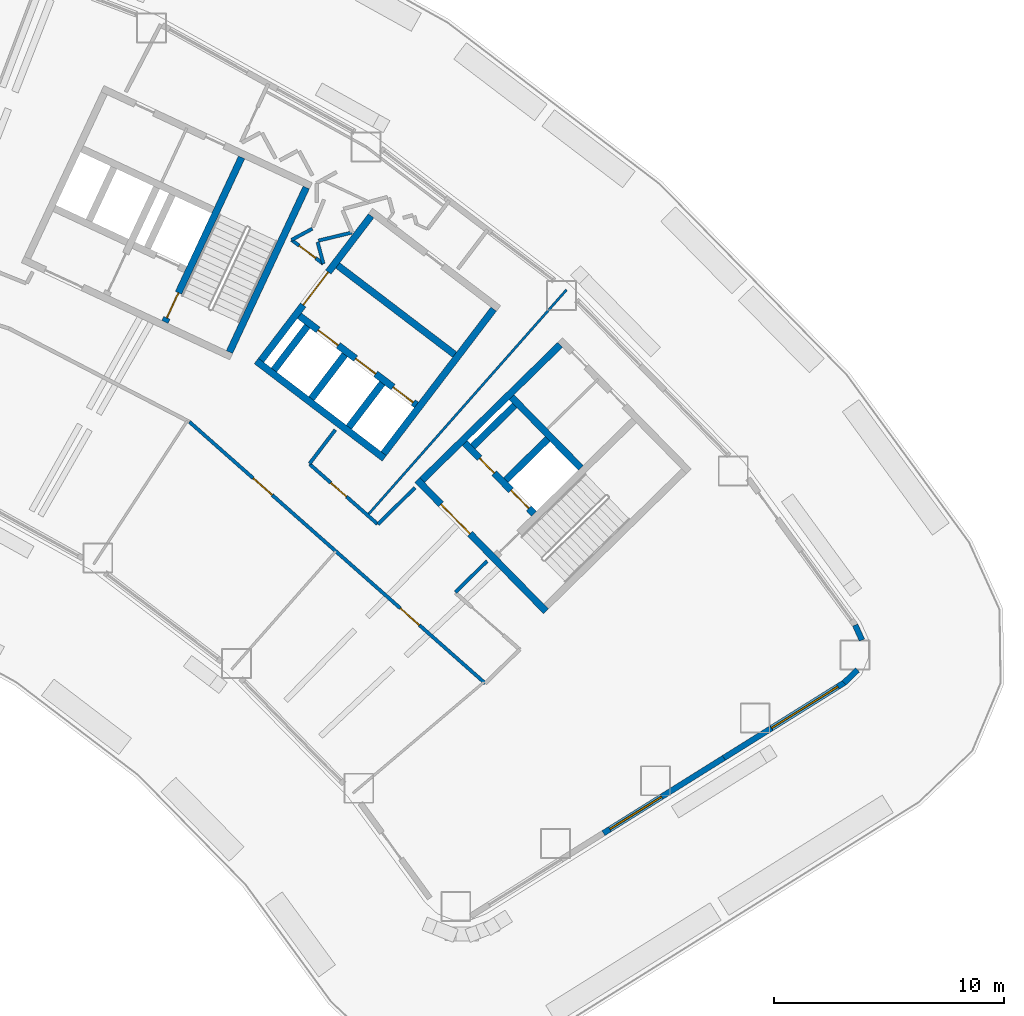
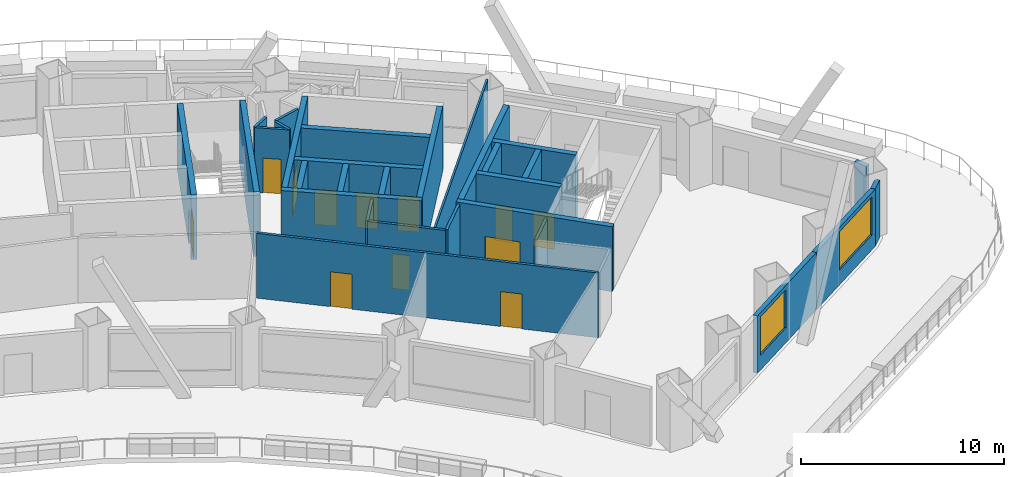
# One storey, part 6 of 12: 30 walls, 12 doors, 2 windows, 14 openings.
"""IFC4 building model written with IfcOpenShell, lengths in metres."""

from ifc_helpers import new_model, si_unit, direction, frame, frame_2d, origin, place, context, subcontext, project, spatial, rectangle, extrude, material, layer, layer_set, type_object, element, fill, save


model = new_model("IFC4")

# Units and contexts
model_context = context("Model", 3, precision=1e-05, world=origin(), true_north=direction((0.0, 1.0)))
body_context = subcontext(model_context, "Body", "Model", "MODEL_VIEW")
ifc_project = project(units=[si_unit("LENGTHUNIT", "METRE"), si_unit("AREAUNIT", "SQUARE_METRE"), si_unit("VOLUMEUNIT", "CUBIC_METRE"), si_unit("PLANEANGLEUNIT", "RADIAN"), si_unit("MASSUNIT", "GRAM", prefix="KILO")], contexts=[model_context])

# Site, building, storey
site_placement = place(None, origin())
site = spatial("IfcSite", under=ifc_project, at=site_placement, CompositionType="ELEMENT")
building_placement = place(site_placement, origin())
building = spatial("IfcBuilding", under=site, at=building_placement, Name="Tuul Gate Civic Tower", CompositionType="ELEMENT")
storey_placement = place(building_placement, frame((0.0, 0.0, 31.5)))
storey = spatial("IfcBuildingStorey", under=building, at=storey_placement, Name="Level 06", CompositionType="ELEMENT", Elevation=31.5)

# Wall, opening, door
ifc_material_1 = material(Name="Concrete C50/60", Category="concrete")
ifc_layer_1 = layer(ifc_material_1, 0.300048828125)
ifc_layer_set_1 = layer_set([ifc_layer_1], Name="Concrete C50/60")
wall_type_1 = type_object("IfcWallType", Name="Core wall C50/60", PredefinedType="SHEAR", material=ifc_layer_set_1)
wall_1_placement = place(storey_placement, frame((48.22509765625, -18.327880859375, 0.0), z_axis=(0.0, 0.0, 1.0), x_axis=(-0.700021979774, 0.714121297703, 0.0)))
wall_1 = element("IfcWall", 1, at=wall_1_placement, inside=storey, type_object=wall_type_1, Name="Core wall", PredefinedType="SHEAR", context=body_context, shape_type="SweptSolid", body=[
    extrude(rectangle(XDim=8.0, YDim=0.300048828125, at=frame_2d((4.0, 0.0))), origin(), (0.0, 0.0, 1.0), 3.89990234375),
])
opening_1_placement = place(wall_1_placement, frame((4.72509765625, 0.0, 0.0)))
opening_1 = element("IfcOpeningElement", 2, at=opening_1_placement, cuts=wall_1, Name="Opening LB-E1-LOBBY-1", PredefinedType="OPENING", context=body_context, shape_type="SweptSolid", body=[
    extrude(rectangle(XDim=1.800048828125, YDim=2.10009765625, at=frame_2d((0.89990234375, 1.050048828125))), frame((0.0, 0.16015625, 0.0), z_axis=(0.0, -1.0, 0.0), x_axis=(1.0, 0.0, 0.0)), (0.0, 0.0, 1.0), 0.320068359375),
])
ifc_material_2 = material(Name="Steel", Category="steel")
door_type_1 = type_object("IfcDoorType", Name="Lobby door", OperationType="DOUBLE_DOOR_SINGLE_SWING", PredefinedType="DOOR", material=ifc_material_2)
door_1_placement = place(opening_1_placement, frame((1.800048828125, 0.0, 0.0), z_axis=(0.0, 0.0, 1.0), x_axis=(-1.0, 0.0, 0.0)))
door_1 = element("IfcDoor", 3, at=door_1_placement, inside=storey, type_object=door_type_1, Name="Lobby door E1-LOBBY", OperationType="DOUBLE_DOOR_SINGLE_SWING", OverallHeight=2.10009765625, OverallWidth=1.800048828125, PredefinedType="DOOR", context=body_context, shape_type="SweptSolid", body=[
    extrude(rectangle(XDim=1.800048828125, YDim=2.10009765625, at=frame_2d((0.900146484375, 1.050048828125))), frame((0.0, 0.02490234375, 0.0), z_axis=(0.0, -1.0, 0.0), x_axis=(1.0, 0.0, 0.0)), (0.0, 0.0, 1.0), 0.050048828125),
])
fill(opening_1, door_1)

# Wall, openings, doors
wall_2_placement = place(storey_placement, frame((47.701904296875, -14.079833984375, 0.0), z_axis=(0.0, 0.0, 1.0), x_axis=(-0.700002721075, 0.714140175657, 0.0)))
wall_2 = element("IfcWall", 4, at=wall_2_placement, inside=storey, type_object=wall_type_1, Name="Core wall", PredefinedType="SHEAR", context=body_context, shape_type="SweptSolid", body=[
    extrude(rectangle(XDim=4.300048828125, YDim=0.300048828125, at=frame_2d((2.14990234375, 0.0))), origin(), (0.0, 0.0, 1.0), 3.89990234375),
])
opening_2_placement = place(wall_2_placement, frame((0.324951171875, 0.0, 0.0)))
opening_2 = element("IfcOpeningElement", 5, at=opening_2_placement, cuts=wall_2, Name="Opening LD-L4", PredefinedType="OPENING", context=body_context, shape_type="SweptSolid", body=[
    extrude(rectangle(XDim=1.10009765625, YDim=2.10009765625, at=frame_2d((0.550048828125, 1.050048828125))), frame((0.0, 0.16015625, 0.0), z_axis=(0.0, -1.0, 0.0), x_axis=(1.0, 0.0, 0.0)), (0.0, 0.0, 1.0), 0.320068359375),
])
opening_3_placement = place(wall_2_placement, frame((2.47509765625, 0.0, 0.0)))
opening_3 = element("IfcOpeningElement", 6, at=opening_3_placement, cuts=wall_2, Name="Opening FB-E1A2", PredefinedType="OPENING", context=body_context, shape_type="SweptSolid", body=[
    extrude(rectangle(XDim=0.89990234375, YDim=2.10009765625, at=frame_2d((0.449951171875, 1.050048828125))), frame((0.0, 0.16015625, 0.0), z_axis=(0.0, -1.0, 0.0), x_axis=(1.0, 0.0, 0.0)), (0.0, 0.0, 1.0), 0.320068359375),
])
ifc_material_3 = material(Name="Stainless steel", Category="steel")
door_type_2 = type_object("IfcDoorType", Name="Landing door", OperationType="DOUBLE_DOOR_SLIDING", PredefinedType="DOOR", material=ifc_material_3)
door_2_placement = place(opening_2_placement, origin())
door_2 = element("IfcDoor", 7, at=door_2_placement, inside=storey, type_object=door_type_2, Name="Low-rise lift L4 landing door", OperationType="DOUBLE_DOOR_SLIDING", OverallHeight=2.10009765625, OverallWidth=1.10009765625, PredefinedType="DOOR", context=body_context, shape_type="SweptSolid", body=[
    extrude(rectangle(XDim=1.10009765625, YDim=2.10009765625, at=frame_2d((0.550048828125, 1.050048828125))), frame((0.0, 0.02490234375, 0.0), z_axis=(0.0, -1.0, 0.0), x_axis=(1.0, 0.0, 0.0)), (0.0, 0.0, 1.0), 0.050048828125),
])
fill(opening_2, door_2)
ifc_material_4 = material(Name="Steel", Category="steel")
door_type_3 = type_object("IfcDoorType", Name="Store door", OperationType="NOTDEFINED", PredefinedType="DOOR", material=ifc_material_4)
door_3_placement = place(opening_3_placement, frame((0.89990234375, 0.0, 0.0), z_axis=(0.0, 0.0, 1.0), x_axis=(-1.0, 0.0, 0.0)))
door_3 = element("IfcDoor", 8, at=door_3_placement, inside=storey, type_object=door_type_3, Name="Store door E1A2", OperationType="SINGLE_SWING_LEFT", OverallHeight=2.10009765625, OverallWidth=0.89990234375, PredefinedType="DOOR", context=body_context, shape_type="SweptSolid", body=[
    extrude(rectangle(XDim=0.89990234375, YDim=2.10009765625, at=frame_2d((0.449951171875, 1.050048828125))), frame((0.0, 0.02490234375, 0.0), z_axis=(0.0, -1.0, 0.0), x_axis=(1.0, 0.0, 0.0)), (0.0, 0.0, 1.0), 0.050048828125),
])
fill(opening_3, door_3)

# Walls
wall_3_placement = place(storey_placement, frame((49.737060546875, -12.0849609375, 0.0), z_axis=(0.0, 0.0, 1.0), x_axis=(-0.700002721075, 0.714140175657, 0.0)))
element("IfcWall", 9, at=wall_3_placement, inside=storey, type_object=wall_type_1, Name="Core wall", PredefinedType="SHEAR", context=body_context, shape_type="SweptSolid", body=[
    extrude(rectangle(XDim=4.300048828125, YDim=0.300048828125, at=frame_2d((2.14990234375, 0.0))), origin(), (0.0, 0.0, 1.0), 3.89990234375),
])
wall_4_placement = place(storey_placement, frame((46.47900390625, -12.617919921875, 0.0), z_axis=(0.0, 0.0, 1.0), x_axis=(0.71410944159, 0.700034074479, 0.0)))
element("IfcWall", 10, at=wall_4_placement, inside=storey, type_object=wall_type_1, Name="Core wall", PredefinedType="SHEAR", context=body_context, shape_type="SweptSolid", body=[
    extrude(rectangle(XDim=2.5498046875, YDim=0.300048828125, at=frame_2d((1.27490234375, 0.0))), origin(), (0.0, 0.0, 1.0), 3.89990234375),
])
wall_5_placement = place(storey_placement, frame((45.0439453125, -11.154052734375, 0.0), z_axis=(0.0, 0.0, 1.0), x_axis=(0.714108498262, 0.700035036773, 0.0)))
element("IfcWall", 11, at=wall_5_placement, inside=storey, type_object=wall_type_1, Name="Core wall", PredefinedType="SHEAR", context=body_context, shape_type="SweptSolid", body=[
    extrude(rectangle(XDim=2.550048828125, YDim=0.300048828125, at=frame_2d((1.27490234375, 0.0))), origin(), (0.0, 0.0, 1.0), 3.89990234375),
])
wall_6_placement = place(storey_placement, frame((42.837158203125, -12.616943359375, 0.0), z_axis=(0.0, 0.0, 1.0), x_axis=(0.714119844755, 0.700023461983, 0.0)))
element("IfcWall", 12, at=wall_6_placement, inside=storey, type_object=wall_type_1, Name="Core wall", PredefinedType="SHEAR", context=body_context, shape_type="SweptSolid", body=[
    extrude(rectangle(XDim=8.39990234375, YDim=0.300048828125, at=frame_2d((4.199951171875, 0.0))), origin(), (0.0, 0.0, 1.0), 3.89990234375),
])
wall_7_placement = place(storey_placement, frame((34.455810546875, -7.05078125, 0.0), z_axis=(0.0, 0.0, 1.0), x_axis=(0.422570768258, 0.906329932096, 0.0)))
element("IfcWall", 13, at=wall_7_placement, inside=storey, type_object=wall_type_1, Name="Core wall", PredefinedType="SHEAR", context=body_context, shape_type="SweptSolid", body=[
    extrude(rectangle(XDim=7.900146484375, YDim=0.300048828125, at=frame_2d((3.9501953125, 0.0))), origin(), (0.0, 0.0, 1.0), 3.89990234375),
])

# Wall, opening, door
wall_8_placement = place(storey_placement, frame((31.646240234375, -5.740478515625, 0.0), z_axis=(0.0, 0.0, 1.0), x_axis=(0.422582604137, 0.906324413596, 0.0)))
wall_8 = element("IfcWall", 14, at=wall_8_placement, inside=storey, type_object=wall_type_1, Name="Core wall", PredefinedType="SHEAR", context=body_context, shape_type="SweptSolid", body=[
    extrude(rectangle(XDim=7.89990234375, YDim=0.300048828125, at=frame_2d((3.949951171875, 0.0))), origin(), (0.0, 0.0, 1.0), 3.89990234375),
])
opening_4_placement = place(wall_8_placement, frame((0.199951171875, 0.0, 0.0)))
opening_4 = element("IfcOpeningElement", 15, at=opening_4_placement, cuts=wall_8, Name="Opening SD-ST-4", PredefinedType="OPENING", context=body_context, shape_type="SweptSolid", body=[
    extrude(rectangle(XDim=1.199951171875, YDim=2.10009765625, at=frame_2d((0.60009765625, 1.050048828125))), frame((0.0, 0.16015625, 0.0), z_axis=(0.0, -1.0, 0.0), x_axis=(1.0, 0.0, 0.0)), (0.0, 0.0, 1.0), 0.320068359375),
])
ifc_material_5 = material(Name="Steel", Category="steel")
door_type_4 = type_object("IfcDoorType", Name="Stair door", OperationType="NOTDEFINED", PredefinedType="DOOR", material=ifc_material_5)
door_4_placement = place(opening_4_placement, origin())
door_4 = element("IfcDoor", 16, at=door_4_placement, inside=storey, type_object=door_type_4, Name="Stair door ST-4", OperationType="SINGLE_SWING_LEFT", OverallHeight=2.10009765625, OverallWidth=1.199951171875, PredefinedType="DOOR", context=body_context, shape_type="SweptSolid", body=[
    extrude(rectangle(XDim=1.199951171875, YDim=2.10009765625, at=frame_2d((0.60009765625, 1.050048828125))), frame((0.0, 0.02490234375, 0.0), z_axis=(0.0, -1.0, 0.0), x_axis=(1.0, 0.0, 0.0)), (0.0, 0.0, 1.0), 0.050048828125),
])
fill(opening_4, door_4)

# Wall, openings, doors
ifc_material_6 = material(Name="Gypsum board partition")
ifc_layer_2 = layer(ifc_material_6, 0.14990234375)
ifc_layer_set_2 = layer_set([ifc_layer_2], Name="Gypsum board partition")
wall_type_2 = type_object("IfcWallType", Name="Corridor wall P150", PredefinedType="PARTITIONING", material=ifc_layer_set_2)
wall_9_placement = place(storey_placement, frame((32.717041015625, -10.0888671875, 0.0), z_axis=(0.0, 0.0, 1.0), x_axis=(0.749263470763, -0.662272037293, 0.0)))
wall_9 = element("IfcWall", 17, at=wall_9_placement, inside=storey, type_object=wall_type_2, Name="p004", PredefinedType="PARTITIONING", context=body_context, shape_type="SweptSolid", body=[
    extrude(rectangle(XDim=17.17578125, YDim=0.14990234375, at=frame_2d((8.587890625, 0.0))), origin(), (0.0, 0.0, 1.0), 3.89990234375),
])
opening_5_placement = place(wall_9_placement, frame((12.2451171875, 0.0, 0.0)))
opening_5 = element("IfcOpeningElement", 18, at=opening_5_placement, cuts=wall_9, Name="Opening A-D13", PredefinedType="OPENING", context=body_context, shape_type="SweptSolid", body=[
    extrude(rectangle(XDim=1.10009765625, YDim=2.10009765625, at=frame_2d((0.550048828125, 1.050048828125))), frame((0.0, 0.0849609375, 0.0), z_axis=(0.0, -1.0, 0.0), x_axis=(1.0, 0.0, 0.0)), (0.0, 0.0, 1.0), 0.169921875),
])
opening_6_placement = place(wall_9_placement, frame((3.697509765625, 0.0, 0.0)))
opening_6 = element("IfcOpeningElement", 19, at=opening_6_placement, cuts=wall_9, Name="Opening A-D14", PredefinedType="OPENING", context=body_context, shape_type="SweptSolid", body=[
    extrude(rectangle(XDim=1.10009765625, YDim=2.10009765625, at=frame_2d((0.550048828125, 1.050048828125))), frame((0.0, 0.0849609375, 0.0), z_axis=(0.0, -1.0, 0.0), x_axis=(1.0, 0.0, 0.0)), (0.0, 0.0, 1.0), 0.169921875),
])
ifc_material_7 = material(Name="Timber door leaf", Category="wood")
door_type_5 = type_object("IfcDoorType", Name="Door D11", OperationType="NOTDEFINED", PredefinedType="DOOR", material=ifc_material_7)
door_5_placement = place(opening_5_placement, frame((1.10009765625, 0.0, 0.0), z_axis=(0.0, 0.0, 1.0), x_axis=(-1.0, 0.0, 0.0)))
door_5 = element("IfcDoor", 20, at=door_5_placement, inside=storey, type_object=door_type_5, Name="Door A-D13", OperationType="SINGLE_SWING_LEFT", OverallHeight=2.10009765625, OverallWidth=1.10009765625, PredefinedType="DOOR", context=body_context, shape_type="SweptSolid", body=[
    extrude(rectangle(XDim=1.10009765625, YDim=2.10009765625, at=frame_2d((0.550048828125, 1.050048828125))), frame((0.0, 0.02490234375, 0.0), z_axis=(0.0, -1.0, 0.0), x_axis=(1.0, 0.0, 0.0)), (0.0, 0.0, 1.0), 0.050048828125),
])
fill(opening_5, door_5)
door_6_placement = place(opening_6_placement, frame((1.10009765625, 0.0, 0.0), z_axis=(0.0, 0.0, 1.0), x_axis=(-1.0, 0.0, 0.0)))
door_6 = element("IfcDoor", 21, at=door_6_placement, inside=storey, type_object=door_type_5, Name="Door A-D14", OperationType="SINGLE_SWING_LEFT", OverallHeight=2.10009765625, OverallWidth=1.10009765625, PredefinedType="DOOR", context=body_context, shape_type="SweptSolid", body=[
    extrude(rectangle(XDim=1.10009765625, YDim=2.10009765625, at=frame_2d((0.550048828125, 1.050048828125))), frame((0.0, 0.02490234375, 0.0), z_axis=(0.0, -1.0, 0.0), x_axis=(1.0, 0.0, 0.0)), (0.0, 0.0, 1.0), 0.050048828125),
])
fill(opening_6, door_6)

# Wall, opening, door
wall_10_placement = place(storey_placement, frame((37.9462890625, -11.927490234375, 0.0), z_axis=(0.0, 0.0, 1.0), x_axis=(0.749779919048, -0.661687292452, 0.0)))
wall_10 = element("IfcWall", 22, at=wall_10_placement, inside=storey, type_object=wall_type_2, Name="p006", PredefinedType="PARTITIONING", context=body_context, shape_type="SweptSolid", body=[
    extrude(rectangle(XDim=3.935302734375, YDim=0.14990234375, at=frame_2d((1.9677734375, 0.0))), origin(), (0.0, 0.0, 1.0), 3.89990234375),
])
opening_7_placement = place(wall_10_placement, frame((1.228759765625, 0.0, 0.0)))
opening_7 = element("IfcOpeningElement", 23, at=opening_7_placement, cuts=wall_10, Name="Opening A-D02", PredefinedType="OPENING", context=body_context, shape_type="SweptSolid", body=[
    extrude(rectangle(XDim=0.89990234375, YDim=2.10009765625, at=frame_2d((0.449951171875, 1.050048828125))), frame((0.0, 0.0849609375, 0.0), z_axis=(0.0, -1.0, 0.0), x_axis=(1.0, 0.0, 0.0)), (0.0, 0.0, 1.0), 0.169921875),
])
ifc_material_8 = material(Name="Timber door leaf", Category="wood")
door_type_6 = type_object("IfcDoorType", Name="Door D09", OperationType="NOTDEFINED", PredefinedType="DOOR", material=ifc_material_8)
door_7_placement = place(opening_7_placement, origin())
door_7 = element("IfcDoor", 24, at=door_7_placement, inside=storey, type_object=door_type_6, Name="Door A-D02", OperationType="SINGLE_SWING_RIGHT", OverallHeight=2.10009765625, OverallWidth=0.89990234375, PredefinedType="DOOR", context=body_context, shape_type="SweptSolid", body=[
    extrude(rectangle(XDim=0.89990234375, YDim=2.10009765625, at=frame_2d((0.449951171875, 1.050048828125))), frame((0.0, 0.02490234375, 0.0), z_axis=(0.0, -1.0, 0.0), x_axis=(1.0, 0.0, 0.0)), (0.0, 0.0, 1.0), 0.050048828125),
])
fill(opening_7, door_7)

# Walls
wall_11_placement = place(storey_placement, frame((44.290283203125, -17.496826171875, 0.0), z_axis=(0.0, 0.0, 1.0), x_axis=(0.71120987224, 0.702979741976, 0.0)))
element("IfcWall", 25, at=wall_11_placement, inside=storey, type_object=wall_type_2, Name="p008", PredefinedType="PARTITIONING", context=body_context, shape_type="SweptSolid", body=[
    extrude(rectangle(XDim=1.92822265625, YDim=0.14990234375, at=frame_2d((0.964111328125, 0.0))), origin(), (0.0, 0.0, 1.0), 3.89990234375),
])
wall_12_placement = place(storey_placement, frame((40.920654296875, -14.533935546875, 0.0), z_axis=(0.0, 0.0, 1.0), x_axis=(0.711842912354, 0.702338713251, 0.0)))
element("IfcWall", 26, at=wall_12_placement, inside=storey, type_object=wall_type_2, Name="p009", PredefinedType="PARTITIONING", context=body_context, shape_type="SweptSolid", body=[
    extrude(rectangle(XDim=2.260498046875, YDim=0.14990234375, at=frame_2d((1.13037109375, 0.0))), origin(), (0.0, 0.0, 1.0), 3.89990234375),
])
wall_13_placement = place(storey_placement, frame((37.943359375, -11.8994140625, 0.0), z_axis=(0.0, 0.0, 1.0), x_axis=(0.605831736244, 0.795592802481, 0.0)))
element("IfcWall", 27, at=wall_13_placement, inside=storey, type_object=wall_type_2, Name="p010", PredefinedType="PARTITIONING", context=body_context, shape_type="SweptSolid", body=[
    extrude(rectangle(XDim=1.84375, YDim=0.14990234375, at=frame_2d((0.921875, 0.0))), origin(), (0.0, 0.0, 1.0), 3.89990234375),
])
wall_14_placement = place(storey_placement, frame((38.324951171875, -2.202392578125, 0.0), z_axis=(0.0, 0.0, 1.0), x_axis=(0.97201969749, 0.234899356515, 0.0)))
element("IfcWall", 28, at=wall_14_placement, inside=storey, type_object=wall_type_2, Name="p013", PredefinedType="PARTITIONING", context=body_context, shape_type="SweptSolid", body=[
    extrude(rectangle(XDim=1.506103515625, YDim=0.14990234375, at=frame_2d((0.7529296875, 0.0))), origin(), (0.0, 0.0, 1.0), 3.89990234375),
])
wall_15_placement = place(storey_placement, frame((37.1572265625, -2.1708984375, 0.0), z_axis=(0.0, 0.0, 1.0), x_axis=(0.879851690759, 0.475248358512, 0.0)))
element("IfcWall", 29, at=wall_15_placement, inside=storey, type_object=wall_type_2, Name="p070", PredefinedType="PARTITIONING", context=body_context, shape_type="SweptSolid", body=[
    extrude(rectangle(XDim=1.0263671875, YDim=0.14990234375, at=frame_2d((0.51318359375, 0.0))), origin(), (0.0, 0.0, 1.0), 3.89990234375),
])

# Wall, opening, door
wall_16_placement = place(storey_placement, frame((37.1572265625, -2.1708984375, 0.0), z_axis=(0.0, 0.0, 1.0), x_axis=(0.798980317179, -0.601357175695, 0.0)))
wall_16 = element("IfcWall", 30, at=wall_16_placement, inside=storey, type_object=wall_type_2, Name="p071", PredefinedType="PARTITIONING", context=body_context, shape_type="SweptSolid", body=[
    extrude(rectangle(XDim=1.725830078125, YDim=0.14990234375, at=frame_2d((0.86279296875, 0.0))), origin(), (0.0, 0.0, 1.0), 3.89990234375),
])
opening_8_placement = place(wall_16_placement, frame((0.412841796875, 0.0, 0.0)))
opening_8 = element("IfcOpeningElement", 31, at=opening_8_placement, cuts=wall_16, Name="Opening A-D18", PredefinedType="OPENING", context=body_context, shape_type="SweptSolid", body=[
    extrude(rectangle(XDim=0.89990234375, YDim=2.10009765625, at=frame_2d((0.449951171875, 1.050048828125))), frame((0.0, 0.0849609375, 0.0), z_axis=(0.0, -1.0, 0.0), x_axis=(1.0, 0.0, 0.0)), (0.0, 0.0, 1.0), 0.169921875),
])
door_8_placement = place(opening_8_placement, frame((0.89990234375, 0.0, 0.0), z_axis=(0.0, 0.0, 1.0), x_axis=(-1.0, 0.0, 0.0)))
door_8 = element("IfcDoor", 32, at=door_8_placement, inside=storey, type_object=door_type_6, Name="Door A-D18", OperationType="SINGLE_SWING_LEFT", OverallHeight=2.10009765625, OverallWidth=0.89990234375, PredefinedType="DOOR", context=body_context, shape_type="SweptSolid", body=[
    extrude(rectangle(XDim=0.89990234375, YDim=2.10009765625, at=frame_2d((0.449951171875, 1.050048828125))), frame((0.0, 0.02490234375, 0.0), z_axis=(0.0, -1.0, 0.0), x_axis=(1.0, 0.0, 0.0)), (0.0, 0.0, 1.0), 0.050048828125),
])
fill(opening_8, door_8)

# Walls
wall_17_placement = place(storey_placement, frame((38.289306640625, -2.263916015625, 0.0), z_axis=(0.0, 0.0, 1.0), x_axis=(0.259910493651, -0.965632712417, 0.0)))
element("IfcWall", 33, at=wall_17_placement, inside=storey, type_object=wall_type_2, Name="p072", PredefinedType="PARTITIONING", context=body_context, shape_type="SweptSolid", body=[
    extrude(rectangle(XDim=0.97314453125, YDim=0.14990234375, at=frame_2d((0.486572265625, 0.0))), origin(), (0.0, 0.0, 1.0), 3.89990234375),
])
ifc_material_9 = material(Name="Precast concrete C40/50", Category="concrete")
ifc_layer_3 = layer(ifc_material_9, 0.25)
ifc_layer_set_3 = layer_set([ifc_layer_3], Name="Precast concrete C40/50")
wall_type_3 = type_object("IfcWallType", Name="External wall", PredefinedType="STANDARD", material=ifc_layer_set_3)
wall_18_placement = place(storey_placement, frame((61.1904296875, -21.442626953125, 0.0), z_axis=(0.0, 0.0, 1.0), x_axis=(0.722244224905, 0.691638113172, 0.0)))
element("IfcWall", 34, at=wall_18_placement, inside=storey, type_object=wall_type_3, Name="External wall", PredefinedType="STANDARD", context=body_context, shape_type="SweptSolid", body=[
    extrude(rectangle(XDim=0.813720703125, YDim=0.25, at=frame_2d((0.40673828125, 0.0))), origin(), (0.0, 0.0, 1.0), 3.449951171875),
])
wall_19_placement = place(storey_placement, frame((61.973388671875, -19.580078125, 0.0), z_axis=(0.0, 0.0, 1.0), x_axis=(-0.412831515496, 0.910807410934, 0.0)))
element("IfcWall", 35, at=wall_19_placement, inside=storey, type_object=wall_type_3, Name="External wall", PredefinedType="STANDARD", context=body_context, shape_type="SweptSolid", body=[
    extrude(rectangle(XDim=0.7197265625, YDim=0.25, at=frame_2d((0.35986328125, 0.0))), origin(), (0.0, 0.0, 1.0), 3.449951171875),
])

# Wall, opening, window
wall_20_placement = place(storey_placement, frame((50.72412109375, -27.979736328125, 0.0), z_axis=(0.0, 0.0, 1.0), x_axis=(0.848053758074, 0.529910203164, 0.0)))
wall_20 = element("IfcWall", 36, at=wall_20_placement, inside=storey, type_object=wall_type_3, Name="External wall", PredefinedType="STANDARD", context=body_context, shape_type="SweptSolid", body=[
    extrude(rectangle(XDim=6.182861328125, YDim=0.25, at=frame_2d((3.09130859375, 0.0))), origin(), (0.0, 0.0, 1.0), 3.449951171875),
])
opening_9_placement = place(wall_20_placement, frame((0.3330078125, 0.0, 0.89990234375)))
opening_9 = element("IfcOpeningElement", 37, at=opening_9_placement, cuts=wall_20, Name="Opening W37", PredefinedType="OPENING", context=body_context, shape_type="SweptSolid", body=[
    extrude(rectangle(XDim=2.64990234375, YDim=2.300048828125, at=frame_2d((1.324951171875, 1.14990234375))), frame((0.0, 0.135009765625, 0.0), z_axis=(0.0, -1.0, 0.0), x_axis=(1.0, 0.0, 0.0)), (0.0, 0.0, 1.0), 0.27001953125),
])
ifc_material_10 = material(Name="Glass", Category="glass")
window_type_1 = type_object("IfcWindowType", Name="Window 2650 x 2300", PartitioningType="SINGLE_PANEL", PredefinedType="WINDOW", material=ifc_material_10)
window_1_placement = place(opening_9_placement, origin())
window_1 = element("IfcWindow", 38, at=window_1_placement, inside=storey, type_object=window_type_1, Name="Window", OverallHeight=2.300048828125, OverallWidth=2.64990234375, PartitioningType="SINGLE_PANEL", PredefinedType="WINDOW", context=body_context, shape_type="SweptSolid", body=[
    extrude(rectangle(XDim=2.64990234375, YDim=2.300048828125, at=frame_2d((1.324951171875, 1.14990234375))), frame((0.0, 0.030029296875, 0.0), z_axis=(0.0, -1.0, 0.0), x_axis=(1.0, 0.0, 0.0)), (0.0, 0.0, 1.0), 0.06005859375),
])
fill(opening_9, window_1)

wall_21_placement = place(storey_placement, frame((55.967529296875, -24.703369140625, 0.0), z_axis=(0.0, 0.0, 1.0), x_axis=(0.848042669488, 0.529927948619, 0.0)))
wall_21 = element("IfcWall", 39, at=wall_21_placement, inside=storey, type_object=wall_type_3, Name="External wall", PredefinedType="STANDARD", context=body_context, shape_type="SweptSolid", body=[
    extrude(rectangle(XDim=6.1826171875, YDim=0.25, at=frame_2d((3.09130859375, 0.0))), origin(), (0.0, 0.0, 1.0), 3.449951171875),
])
opening_10_placement = place(wall_21_placement, frame((2.443115234375, 0.0, 0.89990234375)))
opening_10 = element("IfcOpeningElement", 40, at=opening_10_placement, cuts=wall_21, Name="Opening W32", PredefinedType="OPENING", context=body_context, shape_type="SweptSolid", body=[
    extrude(rectangle(XDim=3.39990234375, YDim=2.300048828125, at=frame_2d((1.699951171875, 1.14990234375))), frame((0.0, 0.135009765625, 0.0), z_axis=(0.0, -1.0, 0.0), x_axis=(1.0, 0.0, 0.0)), (0.0, 0.0, 1.0), 0.27001953125),
])
ifc_material_11 = material(Name="Glass", Category="glass")
window_type_2 = type_object("IfcWindowType", Name="Window 3400 x 2300", PartitioningType="SINGLE_PANEL", PredefinedType="WINDOW", material=ifc_material_11)
window_2_placement = place(opening_10_placement, origin())
window_2 = element("IfcWindow", 41, at=window_2_placement, inside=storey, type_object=window_type_2, Name="Window", OverallHeight=2.300048828125, OverallWidth=3.39990234375, PartitioningType="SINGLE_PANEL", PredefinedType="WINDOW", context=body_context, shape_type="SweptSolid", body=[
    extrude(rectangle(XDim=3.39990234375, YDim=2.300048828125, at=frame_2d((1.699951171875, 1.14990234375))), frame((0.0, 0.030029296875, 0.0), z_axis=(0.0, -1.0, 0.0), x_axis=(1.0, 0.0, 0.0)), (0.0, 0.0, 1.0), 0.06005859375),
])
fill(opening_10, window_2)

# Wall
ifc_material_12 = material(Name="Concrete C40/50", Category="concrete")
ifc_layer_4 = layer(ifc_material_12, 0.300048828125)
ifc_layer_set_4 = layer_set([ifc_layer_4], Name="Concrete C40/50")
wall_type_4 = type_object("IfcWallType", Name="Lift shaft wall C40/50", PredefinedType="STANDARD", material=ifc_layer_set_4)
wall_22_placement = place(storey_placement, frame((41.19189453125, -11.677734375, 0.0), z_axis=(0.0, 0.0, 1.0), x_axis=(-0.795563000331, 0.605870871147, 0.0)))
element("IfcWall", 42, at=wall_22_placement, inside=storey, type_object=wall_type_4, Name="Shaft wall", PredefinedType="STANDARD", context=body_context, shape_type="SweptSolid", body=[
    extrude(rectangle(XDim=7.000244140625, YDim=0.300048828125, at=frame_2d((3.5, 0.0))), origin(), (0.0, 0.0, 1.0), 3.89990234375),
])

# Wall, openings, doors
wall_23_placement = place(storey_placement, frame((42.5888671875, -9.34765625, 0.0), z_axis=(0.0, 0.0, 1.0), x_axis=(-0.795584062101, 0.605843214149, 0.0)))
wall_23 = element("IfcWall", 43, at=wall_23_placement, inside=storey, type_object=wall_type_4, Name="Shaft wall", PredefinedType="STANDARD", context=body_context, shape_type="SweptSolid", body=[
    extrude(rectangle(XDim=6.400146484375, YDim=0.300048828125, at=frame_2d((3.2001953125, 0.0))), origin(), (0.0, 0.0, 1.0), 3.89990234375),
])
opening_11_placement = place(wall_23_placement, frame((0.175048828125, 0.0, 0.0)))
opening_11 = element("IfcOpeningElement", 44, at=opening_11_placement, cuts=wall_23, Name="Opening LD-L1", PredefinedType="OPENING", context=body_context, shape_type="SweptSolid", body=[
    extrude(rectangle(XDim=1.10009765625, YDim=2.10009765625, at=frame_2d((0.550048828125, 1.050048828125))), frame((0.0, 0.16015625, 0.0), z_axis=(0.0, -1.0, 0.0), x_axis=(1.0, 0.0, 0.0)), (0.0, 0.0, 1.0), 0.320068359375),
])
opening_12_placement = place(wall_23_placement, frame((2.22509765625, 0.0, 0.0)))
opening_12 = element("IfcOpeningElement", 45, at=opening_12_placement, cuts=wall_23, Name="Opening LD-L2", PredefinedType="OPENING", context=body_context, shape_type="SweptSolid", body=[
    extrude(rectangle(XDim=1.10009765625, YDim=2.10009765625, at=frame_2d((0.550048828125, 1.050048828125))), frame((0.0, 0.16015625, 0.0), z_axis=(0.0, -1.0, 0.0), x_axis=(1.0, 0.0, 0.0)), (0.0, 0.0, 1.0), 0.320068359375),
])
opening_13_placement = place(wall_23_placement, frame((4.27490234375, 0.0, 0.0)))
opening_13 = element("IfcOpeningElement", 46, at=opening_13_placement, cuts=wall_23, Name="Opening LD-L3", PredefinedType="OPENING", context=body_context, shape_type="SweptSolid", body=[
    extrude(rectangle(XDim=1.10009765625, YDim=2.10009765625, at=frame_2d((0.550048828125, 1.050048828125))), frame((0.0, 0.16015625, 0.0), z_axis=(0.0, -1.0, 0.0), x_axis=(1.0, 0.0, 0.0)), (0.0, 0.0, 1.0), 0.320068359375),
])
door_9_placement = place(opening_11_placement, origin())
door_9 = element("IfcDoor", 47, at=door_9_placement, inside=storey, type_object=door_type_2, Name="Low-rise lift L1 landing door", OperationType="DOUBLE_DOOR_SLIDING", OverallHeight=2.10009765625, OverallWidth=1.10009765625, PredefinedType="DOOR", context=body_context, shape_type="SweptSolid", body=[
    extrude(rectangle(XDim=1.10009765625, YDim=2.10009765625, at=frame_2d((0.550048828125, 1.050048828125))), frame((0.0, 0.02490234375, 0.0), z_axis=(0.0, -1.0, 0.0), x_axis=(1.0, 0.0, 0.0)), (0.0, 0.0, 1.0), 0.050048828125),
])
fill(opening_11, door_9)
door_10_placement = place(opening_12_placement, origin())
door_10 = element("IfcDoor", 48, at=door_10_placement, inside=storey, type_object=door_type_2, Name="Low-rise lift L2 landing door", OperationType="DOUBLE_DOOR_SLIDING", OverallHeight=2.10009765625, OverallWidth=1.10009765625, PredefinedType="DOOR", context=body_context, shape_type="SweptSolid", body=[
    extrude(rectangle(XDim=1.10009765625, YDim=2.10009765625, at=frame_2d((0.550048828125, 1.050048828125))), frame((0.0, 0.02490234375, 0.0), z_axis=(0.0, -1.0, 0.0), x_axis=(1.0, 0.0, 0.0)), (0.0, 0.0, 1.0), 0.050048828125),
])
fill(opening_12, door_10)
door_11_placement = place(opening_13_placement, origin())
door_11 = element("IfcDoor", 49, at=door_11_placement, inside=storey, type_object=door_type_2, Name="Low-rise lift L3 landing door", OperationType="DOUBLE_DOOR_SLIDING", OverallHeight=2.10009765625, OverallWidth=1.10009765625, PredefinedType="DOOR", context=body_context, shape_type="SweptSolid", body=[
    extrude(rectangle(XDim=1.10009765625, YDim=2.10009765625, at=frame_2d((0.550048828125, 1.050048828125))), frame((0.0, 0.02490234375, 0.0), z_axis=(0.0, -1.0, 0.0), x_axis=(1.0, 0.0, 0.0)), (0.0, 0.0, 1.0), 0.050048828125),
])
fill(opening_13, door_11)

# Walls
wall_24_placement = place(storey_placement, frame((44.254638671875, -7.15966796875, 0.0), z_axis=(0.0, 0.0, 1.0), x_axis=(-0.795565675562, 0.605867358312, 0.0)))
element("IfcWall", 50, at=wall_24_placement, inside=storey, type_object=wall_type_4, Name="Shaft wall", PredefinedType="STANDARD", context=body_context, shape_type="SweptSolid", body=[
    extrude(rectangle(XDim=6.400146484375, YDim=0.300048828125, at=frame_2d((3.2001953125, 0.0))), origin(), (0.0, 0.0, 1.0), 3.89990234375),
])
wall_25_placement = place(storey_placement, frame((41.163330078125, -11.46728515625, 0.0), z_axis=(0.0, 0.0, 1.0), x_axis=(0.605784332699, 0.795628897324, 0.0)))
element("IfcWall", 51, at=wall_25_placement, inside=storey, type_object=wall_type_4, Name="Shaft wall", PredefinedType="STANDARD", context=body_context, shape_type="SweptSolid", body=[
    extrude(rectangle(XDim=7.89990234375, YDim=0.300048828125, at=frame_2d((3.949951171875, 0.0))), origin(), (0.0, 0.0, 1.0), 3.89990234375),
])
wall_26_placement = place(storey_placement, frame((39.65185546875, -10.31640625, 0.0), z_axis=(0.0, 0.0, 1.0), x_axis=(0.605745892068, 0.79565816419, 0.0)))
element("IfcWall", 52, at=wall_26_placement, inside=storey, type_object=wall_type_4, Name="Shaft wall", PredefinedType="STANDARD", context=body_context, shape_type="SweptSolid", body=[
    extrude(rectangle(XDim=2.400146484375, YDim=0.300048828125, at=frame_2d((1.2001953125, 0.0))), origin(), (0.0, 0.0, 1.0), 3.89990234375),
])
wall_27_placement = place(storey_placement, frame((38.02099609375, -9.07421875, 0.0), z_axis=(0.0, 0.0, 1.0), x_axis=(0.605730519254, 0.795669867498, 0.0)))
element("IfcWall", 53, at=wall_27_placement, inside=storey, type_object=wall_type_4, Name="Shaft wall", PredefinedType="STANDARD", context=body_context, shape_type="SweptSolid", body=[
    extrude(rectangle(XDim=2.399658203125, YDim=0.300048828125, at=frame_2d((1.19970703125, 0.0))), origin(), (0.0, 0.0, 1.0), 3.89990234375),
])
wall_28_placement = place(storey_placement, frame((36.389892578125, -7.832275390625, 0.0), z_axis=(0.0, 0.0, 1.0), x_axis=(0.605745892068, 0.79565816419, 0.0)))
element("IfcWall", 54, at=wall_28_placement, inside=storey, type_object=wall_type_4, Name="Shaft wall", PredefinedType="STANDARD", context=body_context, shape_type="SweptSolid", body=[
    extrude(rectangle(XDim=2.400146484375, YDim=0.300048828125, at=frame_2d((1.2001953125, 0.0))), origin(), (0.0, 0.0, 1.0), 3.89990234375),
])

# Wall, opening, door
wall_29_placement = place(storey_placement, frame((35.8330078125, -7.408203125, 0.0), z_axis=(0.0, 0.0, 1.0), x_axis=(0.605769437763, 0.795640237967, 0.0)))
wall_29 = element("IfcWall", 55, at=wall_29_placement, inside=storey, type_object=wall_type_4, Name="Shaft wall", PredefinedType="STANDARD", context=body_context, shape_type="SweptSolid", body=[
    extrude(rectangle(XDim=7.900146484375, YDim=0.300048828125, at=frame_2d((3.9501953125, 0.0))), origin(), (0.0, 0.0, 1.0), 3.89990234375),
])
opening_14_placement = place(wall_29_placement, frame((3.02490234375, 0.0, 0.0)))
opening_14 = element("IfcOpeningElement", 56, at=opening_14_placement, cuts=wall_29, Name="Opening LB-E2-LOBBY-1", PredefinedType="OPENING", context=body_context, shape_type="SweptSolid", body=[
    extrude(rectangle(XDim=1.800048828125, YDim=2.10009765625, at=frame_2d((0.89990234375, 1.050048828125))), frame((0.0, 0.16015625, 0.0), z_axis=(0.0, -1.0, 0.0), x_axis=(1.0, 0.0, 0.0)), (0.0, 0.0, 1.0), 0.320068359375),
])
door_12_placement = place(opening_14_placement, frame((1.800048828125, 0.0, 0.0), z_axis=(0.0, 0.0, 1.0), x_axis=(-1.0, 0.0, 0.0)))
door_12 = element("IfcDoor", 57, at=door_12_placement, inside=storey, type_object=door_type_1, Name="Lobby door E2-LOBBY", OperationType="DOUBLE_DOOR_SINGLE_SWING", OverallHeight=2.10009765625, OverallWidth=1.800048828125, PredefinedType="DOOR", context=body_context, shape_type="SweptSolid", body=[
    extrude(rectangle(XDim=1.800048828125, YDim=2.10009765625, at=frame_2d((0.900146484375, 1.050048828125))), frame((0.0, 0.02490234375, 0.0), z_axis=(0.0, -1.0, 0.0), x_axis=(1.0, 0.0, 0.0)), (0.0, 0.0, 1.0), 0.050048828125),
])
fill(opening_14, door_12)

# Wall
ifc_material_13 = material(Name="Gypsum board partition")
ifc_layer_5 = layer(ifc_material_13, 0.10009765625)
ifc_layer_set_5 = layer_set([ifc_layer_5], Name="Gypsum board partition")
wall_type_5 = type_object("IfcWallType", Name="Partition P100", PredefinedType="PARTITIONING", material=ifc_layer_set_5)
wall_30_placement = place(storey_placement, frame((40.463623046875, -14.149169921875, 0.0), z_axis=(0.0, 0.0, 1.0), x_axis=(0.661682764635, 0.749783914861, 0.0)))
element("IfcWall", 58, at=wall_30_placement, inside=storey, type_object=wall_type_5, Name="p002", PredefinedType="PARTITIONING", context=body_context, shape_type="SweptSolid", body=[
    extrude(rectangle(XDim=13.076904296875, YDim=0.10009765625, at=frame_2d((6.53857421875, 0.0))), origin(), (0.0, 0.0, 1.0), 3.89990234375),
])

save(model, "model.ifc")
